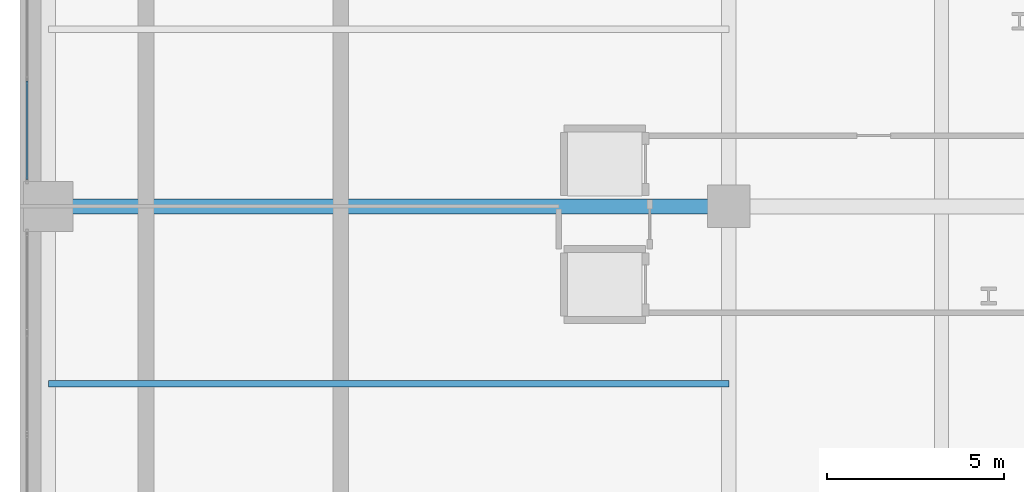
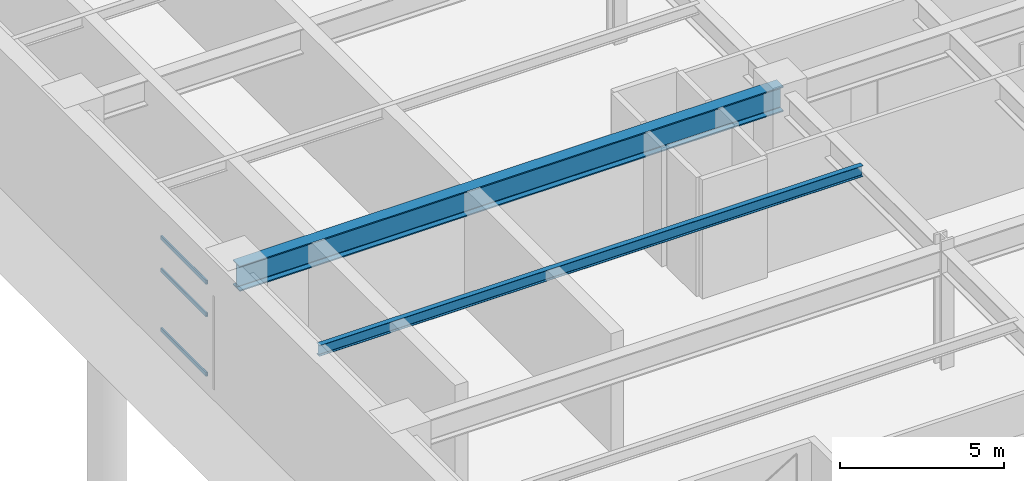
# One storey, part 9 of 25: 3 members, 2 beams, 1 element without a shape of its own.
"""IFC4 building model written with IfcOpenShell, lengths in metres."""

from ifc_helpers import new_model, si_unit, direction, frame, origin, origin_2d, place, context, subcontext, project, spatial, hollow_rectangle, i_section, extrude, material, layer, layer_set, material_profile, profile_set, type_object, element, aggregate, save


model = new_model("IFC4")

# Units and contexts
model_context = context("Model", 3, precision=1e-05, world=origin(), true_north=direction((0.0, 1.0)))
body_context = subcontext(model_context, "Body", "Model", "MODEL_VIEW")
ifc_project = project(units=[si_unit("LENGTHUNIT", "METRE"), si_unit("AREAUNIT", "SQUARE_METRE"), si_unit("VOLUMEUNIT", "CUBIC_METRE"), si_unit("PLANEANGLEUNIT", "RADIAN"), si_unit("MASSUNIT", "GRAM", prefix="KILO")], contexts=[model_context])

# Site, building, storey
site_placement = place(None, origin())
site = spatial("IfcSite", under=ifc_project, at=site_placement, CompositionType="ELEMENT")
building_placement = place(site_placement, origin())
building = spatial("IfcBuilding", under=site, at=building_placement, Name="Soratama Intermodal Tower", CompositionType="ELEMENT")
storey_placement = place(building_placement, frame((0.0, 0.0, -10.199951171875)))
storey = spatial("IfcBuildingStorey", under=building, at=storey_placement, Name="B2", CompositionType="ELEMENT", Elevation=-10.199951171875)

# Beams
ifc_material_1 = material(Name="Structural steel ASTM A992 Grade 50", Category="steel")
ifc_material_profile_1 = material_profile(ifc_material_1, i_section(OverallWidth=0.177978515625, OverallDepth=0.406982421875, WebThickness=0.0078125, FlangeThickness=0.0126953125, FilletRadius=0.010009765625, at=origin_2d()), Name="W16X40")
ifc_profile_set_1 = profile_set([ifc_material_profile_1], Name="Structural steel ASTM A992 Grade 50")
beam_type_1 = type_object("IfcBeamType", Name="BM-JST-W16X40", PredefinedType="JOIST", material=ifc_profile_set_1)
beam_1_placement = place(storey_placement, frame((0.800048828125, 20.0, 4.236572265625), z_axis=(1.0, 0.0, 0.0), x_axis=(0.0, 1.0, 0.0)))
element("IfcBeam", 1, at=beam_1_placement, inside=storey, type_object=beam_type_1, Name="JST-B2-W2", PredefinedType="JOIST", context=body_context, shape_type="SweptSolid", body=[
    extrude(i_section(OverallWidth=0.177978515625, OverallDepth=0.406982421875, WebThickness=0.0078125, FlangeThickness=0.0126953125, FilletRadius=0.010009765625, at=origin_2d()), origin(), (0.0, 0.0, 1.0), 19.199951171875),
])
ifc_material_2 = material(Name="Structural steel ASTM A992 Grade 50", Category="steel")
ifc_material_profile_2 = material_profile(ifc_material_2, i_section(OverallWidth=0.423095703125, OverallDepth=0.93896484375, WebThickness=0.02392578125, FlangeThickness=0.042724609375, FilletRadius=0.02392578125, at=origin_2d()), Name="W36X302")
ifc_profile_set_2 = profile_set([ifc_material_profile_2], Name="Structural steel ASTM A992 Grade 50")
beam_type_2 = type_object("IfcBeamType", Name="BM-POD-W36X302", PredefinedType="BEAM", material=ifc_profile_set_2)
beam_2_placement = place(storey_placement, frame((0.800048828125, 25.0, 3.970458984375), z_axis=(1.0, 0.0, 0.0), x_axis=(0.0, 1.0, 0.0)))
element("IfcBeam", 2, at=beam_2_placement, inside=storey, type_object=beam_type_2, Name="B2 Station Girder X3-4", PredefinedType="BEAM", context=body_context, shape_type="SweptSolid", body=[
    extrude(i_section(OverallWidth=0.423095703125, OverallDepth=0.93896484375, WebThickness=0.02392578125, FlangeThickness=0.042724609375, FilletRadius=0.02392578125, at=origin_2d()), origin(), (0.0, 0.0, 1.0), 19.199951171875),
])

# Curtain wall, members
ifc_material_3 = material(Name="Double-glazed aluminium curtain wall", Category="aluminium")
ifc_layer = layer(ifc_material_3, 0.159912109375)
ifc_layer_set = layer_set([ifc_layer], Name="Double-glazed aluminium curtain wall")
curtain_wall_type = type_object("IfcCurtainWallType", Name="CW-SYS-1", PredefinedType="NOTDEFINED", material=ifc_layer_set)
curtain_wall_placement = place(storey_placement, origin())
curtain_wall = element("IfcCurtainWall", 3, at=curtain_wall_placement, inside=storey, type_object=curtain_wall_type, Name="B2 Station Curtain Wall W2", PredefinedType="NOTDEFINED")
ifc_material_4 = material(Name="Anodised aluminium AA 6063-T6", Category="aluminium")
ifc_material_profile_3 = material_profile(ifc_material_4, hollow_rectangle(XDim=0.06494140625, YDim=0.14990234375, WallThickness=0.0048828125, InnerFilletRadius=0.0048828125, OuterFilletRadius=0.010009765625, at=origin_2d()), Name="CWT150X65X5")
ifc_profile_set_3 = profile_set([ifc_material_profile_3], Name="Anodised aluminium AA 6063-T6")
member_type = type_object("IfcMemberType", Name="TT-CWT-1", PredefinedType="USERDEFINED", material=ifc_profile_set_3)
member_1_placement = place(storey_placement, frame((0.199951171875, 25.760009765625, 0.030029296875), z_axis=(0.0, 1.0, 0.0), x_axis=(-1.0, 0.0, 0.0)))
member_1 = element("IfcMember", 4, at=member_1_placement, type_object=member_type, Name="CW-1 transom 1.1", ObjectType="TRANSOM", PredefinedType="USERDEFINED", context=body_context, shape_type="SweptSolid", body=[
    extrude(hollow_rectangle(XDim=0.06494140625, YDim=0.14990234375, WallThickness=0.0048828125, InnerFilletRadius=0.0048828125, OuterFilletRadius=0.010009765625, at=origin_2d()), origin(), (0.0, 0.0, 1.0), 2.776611328125),
])
member_2_placement = place(storey_placement, frame((0.199951171875, 25.760009765625, 2.25), z_axis=(0.0, 1.0, 0.0), x_axis=(-1.0, 0.0, 0.0)))
member_2 = element("IfcMember", 5, at=member_2_placement, type_object=member_type, Name="CW-1 transom 1.2", ObjectType="TRANSOM", PredefinedType="USERDEFINED", context=body_context, shape_type="SweptSolid", body=[
    extrude(hollow_rectangle(XDim=0.06494140625, YDim=0.14990234375, WallThickness=0.0048828125, InnerFilletRadius=0.0048828125, OuterFilletRadius=0.010009765625, at=origin_2d()), origin(), (0.0, 0.0, 1.0), 2.776611328125),
])
member_3_placement = place(storey_placement, frame((0.199951171875, 25.760009765625, 3.466064453125), z_axis=(0.0, 1.0, 0.0), x_axis=(-1.0, 0.0, 0.0)))
member_3 = element("IfcMember", 6, at=member_3_placement, type_object=member_type, Name="CW-1 transom 1.3", ObjectType="TRANSOM", PredefinedType="USERDEFINED", context=body_context, shape_type="SweptSolid", body=[
    extrude(hollow_rectangle(XDim=0.06494140625, YDim=0.14990234375, WallThickness=0.0048828125, InnerFilletRadius=0.0048828125, OuterFilletRadius=0.010009765625, at=origin_2d()), origin(), (0.0, 0.0, 1.0), 2.776611328125),
])
aggregate(curtain_wall, [member_1, member_2, member_3])

save(model, "model.ifc")
